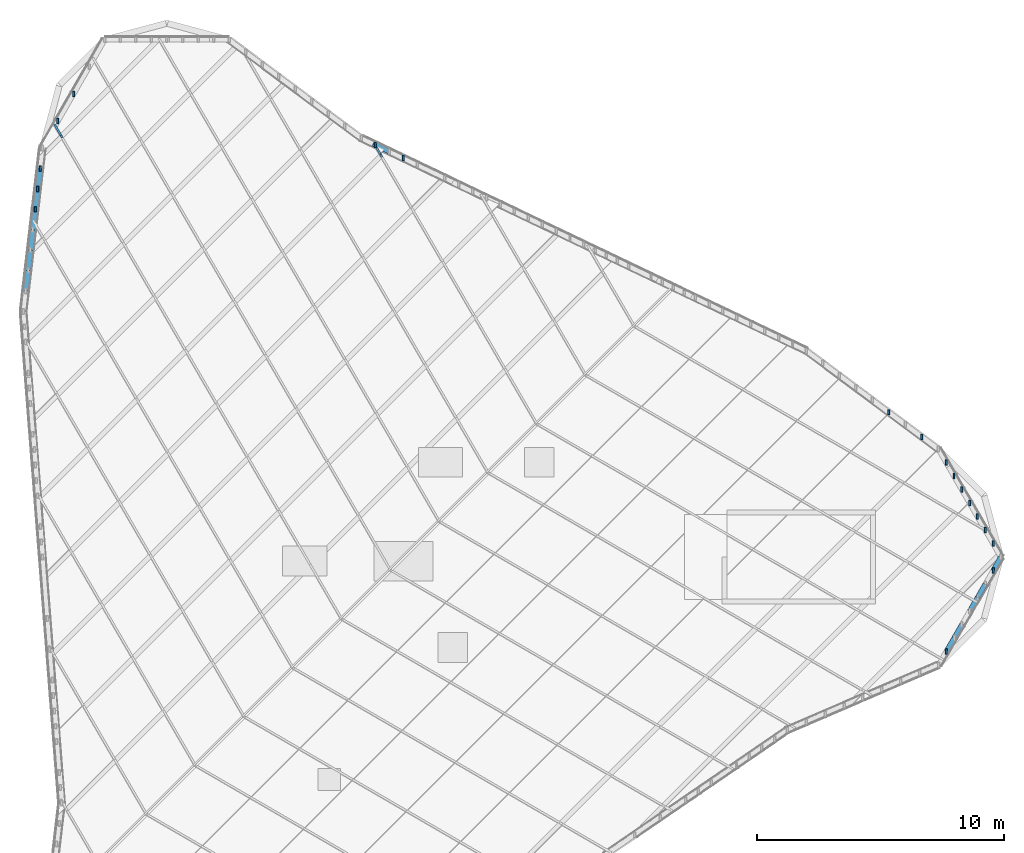
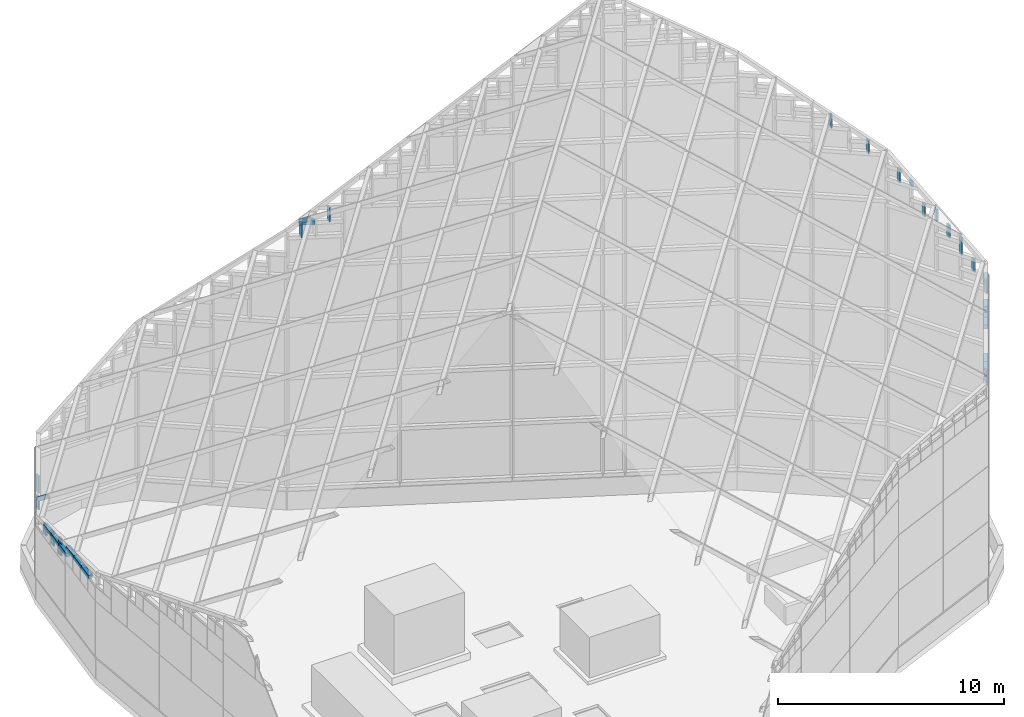
# One storey, part 12 of 29: 33 members, 1 element without a shape of its own.
"""IFC4 building model written with IfcOpenShell, lengths in metres."""

from ifc_helpers import new_model, si_unit, direction, frame, origin, origin_2d, place, context, subcontext, project, spatial, rectangle, extrude, material, material_profile, profile_set, type_object, element, aggregate, save


model = new_model("IFC4")

# Units and contexts
model_context = context("Model", 3, precision=1e-05, world=origin(), true_north=direction((0.0, 1.0)))
body_context = subcontext(model_context, "Body", "Model", "MODEL_VIEW")
ifc_project = project(units=[si_unit("LENGTHUNIT", "METRE"), si_unit("AREAUNIT", "SQUARE_METRE"), si_unit("VOLUMEUNIT", "CUBIC_METRE"), si_unit("PLANEANGLEUNIT", "RADIAN"), si_unit("MASSUNIT", "GRAM", prefix="KILO")], contexts=[model_context])

# Site, building, storey
site_placement = place(None, origin())
site = spatial("IfcSite", under=ifc_project, at=site_placement, CompositionType="ELEMENT")
building_placement = place(site_placement, origin())
building = spatial("IfcBuilding", under=site, at=building_placement, Name="Tanit Gate Tower", CompositionType="ELEMENT")
storey_placement = place(building_placement, frame((0.0, 0.0, 445.300048828125)))
storey = spatial("IfcBuildingStorey", under=building, at=storey_placement, Name="ROOF", CompositionType="ELEMENT", Elevation=445.300048828125)

# Curtain wall, members
ifc_material_1 = material(Name="Aluminium bronze anodised and glass", Category="aluminium")
curtain_wall_type = type_object("IfcCurtainWallType", Name="Curtain wall crown roof", PredefinedType="NOTDEFINED", material=ifc_material_1)
curtain_wall_placement = place(storey_placement, origin())
curtain_wall = element("IfcCurtainWall", 1, at=curtain_wall_placement, inside=storey, type_object=curtain_wall_type, Name="Crown lantern", PredefinedType="NOTDEFINED")
ifc_material_2 = material(Name="Aluminium bronze anodised", Category="aluminium")
ifc_material_profile_1 = material_profile(ifc_material_2, rectangle(XDim=0.080078125, YDim=0.219970703125, at=origin_2d()), Name="80x220 bronze rafter")
ifc_profile_set_1 = profile_set([ifc_material_profile_1], Name="Aluminium bronze anodised")
member_type_1 = type_object("IfcMemberType", Name="Mullion 80x220 crown roof", PredefinedType="MULLION", material=ifc_profile_set_1)
member_1_placement = place(storey_placement, frame((20.986328125, 4.872314453125, 18.697998046875), z_axis=(0.0, 0.0, 1.0), x_axis=(1.0, 0.0, 0.0)))
member_1 = element("IfcMember", 2, at=member_1_placement, type_object=member_type_1, Name="Lantern clerestory bar 1.6.4", PredefinedType="MULLION", context=body_context, shape_type="SweptSolid", body=[
    extrude(rectangle(XDim=0.080078125, YDim=0.219970703125, at=origin_2d()), origin(), (0.0, 0.0, 1.0), 0.708984375),
])
member_2_placement = place(storey_placement, frame((19.65087890625, 5.866943359375, 19.947021484375), z_axis=(0.0, 0.0, 1.0), x_axis=(1.0, 0.0, 0.0)))
member_2 = element("IfcMember", 3, at=member_2_placement, type_object=member_type_1, Name="Lantern clerestory bar 1.6.7", PredefinedType="MULLION", context=body_context, shape_type="SweptSolid", body=[
    extrude(rectangle(XDim=0.080078125, YDim=0.219970703125, at=origin_2d()), origin(), (0.0, 0.0, 1.0), 0.65283203125),
])
member_3_placement = place(storey_placement, frame((-0.01416015625, 16.1533203125, 15.521728515625), z_axis=(0.0, 0.0, 1.0), x_axis=(1.0, 0.0, 0.0)))
member_3 = element("IfcMember", 4, at=member_3_placement, type_object=member_type_1, Name="Lantern clerestory bar 7.5.6", PredefinedType="MULLION", context=body_context, shape_type="SweptSolid", body=[
    extrude(rectangle(XDim=0.080078125, YDim=0.219970703125, at=origin_2d()), origin(), (0.0, 0.0, 1.0), 0.773681640625),
])
member_4_placement = place(storey_placement, frame((-1.14013671875, 16.691162109375, 14.747802734375), z_axis=(0.0, 0.0, 1.0), x_axis=(1.0, 0.0, 0.0)))
member_4 = element("IfcMember", 5, at=member_4_placement, type_object=member_type_1, Name="Lantern clerestory bar 7.5.8", PredefinedType="MULLION", context=body_context, shape_type="SweptSolid", body=[
    extrude(rectangle(XDim=0.080078125, YDim=0.219970703125, at=origin_2d()), origin(), (0.0, 0.0, 1.0), 0.77392578125),
])
member_5_placement = place(storey_placement, frame((-13.3544921875, 18.755859375, 3.962158203125), z_axis=(0.0, 0.0, 1.0), x_axis=(1.0, 0.0, 0.0)))
member_5 = element("IfcMember", 6, at=member_5_placement, type_object=member_type_1, Name="Lantern clerestory bar 11.2.1", PredefinedType="MULLION", context=body_context, shape_type="SweptSolid", body=[
    extrude(rectangle(XDim=0.080078125, YDim=0.219970703125, at=origin_2d()), origin(), (0.0, 0.0, 1.0), 0.9423828125),
])
member_6_placement = place(storey_placement, frame((-13.985107421875, 17.66064453125, 3.962158203125), z_axis=(0.0, 0.0, 1.0), x_axis=(1.0, 0.0, 0.0)))
member_6 = element("IfcMember", 7, at=member_6_placement, type_object=member_type_1, Name="Lantern clerestory bar 11.2.5", PredefinedType="MULLION", context=body_context, shape_type="SweptSolid", body=[
    extrude(rectangle(XDim=0.080078125, YDim=0.219970703125, at=origin_2d()), origin(), (0.0, 0.0, 1.0), 0.72119140625),
])
member_7_placement = place(storey_placement, frame((-14.8095703125, 14.91162109375, 3.962158203125), z_axis=(0.0, 0.0, 1.0), x_axis=(1.0, 0.0, 0.0)))
member_7 = element("IfcMember", 8, at=member_7_placement, type_object=member_type_1, Name="Lantern clerestory bar 12.2.1", PredefinedType="MULLION", context=body_context, shape_type="SweptSolid", body=[
    extrude(rectangle(XDim=0.080078125, YDim=0.219970703125, at=origin_2d()), origin(), (0.0, 0.0, 1.0), 0.794921875),
])
member_8_placement = place(storey_placement, frame((-14.712646484375, 15.738525390625, 3.962158203125), z_axis=(0.0, 0.0, 1.0), x_axis=(1.0, 0.0, 0.0)))
member_8 = element("IfcMember", 9, at=member_8_placement, type_object=member_type_1, Name="Lantern clerestory bar 12.2.2", PredefinedType="MULLION", context=body_context, shape_type="SweptSolid", body=[
    extrude(rectangle(XDim=0.080078125, YDim=0.219970703125, at=origin_2d()), origin(), (0.0, 0.0, 1.0), 0.6474609375),
])
member_9_placement = place(storey_placement, frame((-14.90625, 14.084716796875, 3.962158203125), z_axis=(0.0, 0.0, 1.0), x_axis=(1.0, 0.0, 0.0)))
member_9 = element("IfcMember", 10, at=member_9_placement, type_object=member_type_1, Name="Lantern clerestory bar 12.2.4", PredefinedType="MULLION", context=body_context, shape_type="SweptSolid", body=[
    extrude(rectangle(XDim=0.080078125, YDim=0.219970703125, at=origin_2d()), origin(), (0.0, 0.0, 1.0), 0.9423828125),
])
member_10_placement = place(storey_placement, frame((21.979248046875, -3.8193359375, 11.27099609375), z_axis=(0.0, 0.0, 1.0), x_axis=(1.0, 0.0, 0.0)))
member_10 = element("IfcMember", 11, at=member_10_placement, type_object=member_type_1, Name="Lantern clerestory bar 31.4.5", PredefinedType="MULLION", context=body_context, shape_type="SweptSolid", body=[
    extrude(rectangle(XDim=0.080078125, YDim=0.219970703125, at=origin_2d()), origin(), (0.0, 0.0, 1.0), 0.65380859375),
])
member_11_placement = place(storey_placement, frame((23.87158203125, -0.545654296875, 13.4130859375), z_axis=(0.0, 0.0, 1.0), x_axis=(1.0, 0.0, 0.0)))
member_11 = element("IfcMember", 12, at=member_11_placement, type_object=member_type_1, Name="Lantern clerestory bar 31.4.17", PredefinedType="MULLION", context=body_context, shape_type="SweptSolid", body=[
    extrude(rectangle(XDim=0.080078125, YDim=0.219970703125, at=origin_2d()), origin(), (0.0, 0.0, 1.0), 0.70556640625),
])
member_12_placement = place(storey_placement, frame((23.8701171875, 0.546875, 13.9013671875), z_axis=(0.0, 0.0, 1.0), x_axis=(1.0, 0.0, 0.0)))
member_12 = element("IfcMember", 13, at=member_12_placement, type_object=member_type_1, Name="Lantern clerestory bar 32.5.6", PredefinedType="MULLION", context=body_context, shape_type="SweptSolid", body=[
    extrude(rectangle(XDim=0.080078125, YDim=0.219970703125, at=origin_2d()), origin(), (0.0, 0.0, 1.0), 0.701171875),
])
member_13_placement = place(storey_placement, frame((23.5537109375, 1.09375, 14.6025390625), z_axis=(0.0, 0.0, 1.0), x_axis=(1.0, 0.0, 0.0)))
member_13 = element("IfcMember", 14, at=member_13_placement, type_object=member_type_1, Name="Lantern clerestory bar 32.5.7", PredefinedType="MULLION", context=body_context, shape_type="SweptSolid", body=[
    extrude(rectangle(XDim=0.080078125, YDim=0.219970703125, at=origin_2d()), origin(), (0.0, 0.0, 1.0), 0.963134765625),
])
member_14_placement = place(storey_placement, frame((23.237060546875, 1.640625, 15.303955078125), z_axis=(0.0, 0.0, 1.0), x_axis=(1.0, 0.0, 0.0)))
member_14 = element("IfcMember", 15, at=member_14_placement, type_object=member_type_1, Name="Lantern clerestory bar 32.5.9", PredefinedType="MULLION", context=body_context, shape_type="SweptSolid", body=[
    extrude(rectangle(XDim=0.080078125, YDim=0.219970703125, at=origin_2d()), origin(), (0.0, 0.0, 1.0), 0.701416015625),
])
member_15_placement = place(storey_placement, frame((22.92041015625, 2.1875, 16.00537109375), z_axis=(0.0, 0.0, 1.0), x_axis=(1.0, 0.0, 0.0)))
member_15 = element("IfcMember", 16, at=member_15_placement, type_object=member_type_1, Name="Lantern clerestory bar 32.5.10", PredefinedType="MULLION", context=body_context, shape_type="SweptSolid", body=[
    extrude(rectangle(XDim=0.080078125, YDim=0.219970703125, at=origin_2d()), origin(), (0.0, 0.0, 1.0), 0.64208984375),
])
member_16_placement = place(storey_placement, frame((22.603759765625, 2.734375, 16.00537109375), z_axis=(0.0, 0.0, 1.0), x_axis=(1.0, 0.0, 0.0)))
member_16 = element("IfcMember", 17, at=member_16_placement, type_object=member_type_1, Name="Lantern clerestory bar 32.5.14", PredefinedType="MULLION", context=body_context, shape_type="SweptSolid", body=[
    extrude(rectangle(XDim=0.080078125, YDim=0.219970703125, at=origin_2d()), origin(), (0.0, 0.0, 1.0), 0.701171875),
])
member_17_placement = place(storey_placement, frame((22.287109375, 3.28125, 17.407958984375), z_axis=(0.0, 0.0, 1.0), x_axis=(1.0, 0.0, 0.0)))
member_17 = element("IfcMember", 18, at=member_17_placement, type_object=member_type_1, Name="Lantern clerestory bar 32.5.15", PredefinedType="MULLION", context=body_context, shape_type="SweptSolid", body=[
    extrude(rectangle(XDim=0.080078125, YDim=0.219970703125, at=origin_2d()), origin(), (0.0, 0.0, 1.0), 0.321044921875),
])
member_18_placement = place(storey_placement, frame((21.970458984375, 3.828125, 17.407958984375), z_axis=(0.0, 0.0, 1.0), x_axis=(1.0, 0.0, 0.0)))
member_18 = element("IfcMember", 19, at=member_18_placement, type_object=member_type_1, Name="Lantern clerestory bar 32.5.17", PredefinedType="MULLION", context=body_context, shape_type="SweptSolid", body=[
    extrude(rectangle(XDim=0.080078125, YDim=0.219970703125, at=origin_2d()), origin(), (0.0, 0.0, 1.0), 0.701171875),
])
member_19_placement = place(storey_placement, frame((-13.8427734375, 17.03466796875, 4.973876953125), z_axis=(-0.420095454786, 0.723588012548, -0.547667962332), x_axis=(-0.864816152878, -0.502088659223, 0.0)))
member_19 = element("IfcMember", 20, at=member_19_placement, type_object=member_type_1, Name="Lantern rafter E7", PredefinedType="MULLION", context=body_context, shape_type="SweptSolid", body=[
    extrude(rectangle(XDim=0.080078125, YDim=0.219970703125, at=origin_2d()), origin(), (0.0, 0.0, 1.0), 0.600830078125),
])
member_20_placement = place(storey_placement, frame((-0.900390625, 16.253662109375, 15.923095703125), z_axis=(-0.420071943336, 0.723567006818, -0.547713747378), x_axis=(-0.864822025669, -0.502078543575, 0.0)))
member_20 = element("IfcMember", 21, at=member_20_placement, type_object=member_type_1, Name="Lantern rafter E11", PredefinedType="MULLION", context=body_context, shape_type="SweptSolid", body=[
    extrude(rectangle(XDim=0.080078125, YDim=0.219970703125, at=origin_2d()), origin(), (0.0, 0.0, 1.0), 0.617919921875),
])
ifc_material_3 = material(Name="Aluminium bronze anodised", Category="aluminium")
ifc_material_profile_2 = material_profile(ifc_material_3, rectangle(XDim=0.199951171875, YDim=0.199951171875, at=origin_2d()), Name="200x200 bronze transom")
ifc_profile_set_2 = profile_set([ifc_material_profile_2], Name="Aluminium bronze anodised")
member_type_2 = type_object("IfcMemberType", Name="Transom 200x200 crown roof", PredefinedType="USERDEFINED", material=ifc_profile_set_2)
member_21_placement = place(storey_placement, frame((-0.5771484375, 16.42236328125, 15.521728515625), z_axis=(-0.902300879246, 0.431106858345, 0.0), x_axis=(-0.431106858345, -0.902300879246, 0.0)))
member_21 = element("IfcMember", 22, at=member_21_placement, type_object=member_type_2, Name="Lantern clerestory bar 7.5.7", ObjectType="TRANSOM", PredefinedType="USERDEFINED", context=body_context, shape_type="SweptSolid", body=[
    extrude(rectangle(XDim=0.199951171875, YDim=0.199951171875, at=origin_2d()), origin(), (0.0, 0.0, 1.0), 0.71875),
])
member_22_placement = place(storey_placement, frame((-14.712646484375, 15.738525390625, 4.507080078125), z_axis=(-0.116415890153, -0.993200554027, 0.0), x_axis=(0.993200554027, -0.116415890153, 0.0)))
member_22 = element("IfcMember", 23, at=member_22_placement, type_object=member_type_2, Name="Lantern clerestory bar 12.2.3", ObjectType="TRANSOM", PredefinedType="USERDEFINED", context=body_context, shape_type="SweptSolid", body=[
    extrude(rectangle(XDim=0.199951171875, YDim=0.199951171875, at=origin_2d()), origin(), (0.0, 0.0, 1.0), 0.83251953125),
])
member_23_placement = place(storey_placement, frame((-14.8095703125, 14.91162109375, 4.507080078125), z_axis=(-0.116126610503, -0.993234418621, 0.0), x_axis=(0.993234418621, -0.116126610503, 0.0)))
member_23 = element("IfcMember", 24, at=member_23_placement, type_object=member_type_2, Name="Lantern clerestory bar 12.2.5", ObjectType="TRANSOM", PredefinedType="USERDEFINED", context=body_context, shape_type="SweptSolid", body=[
    extrude(rectangle(XDim=0.199951171875, YDim=0.199951171875, at=origin_2d()), origin(), (0.0, 0.0, 1.0), 0.83251953125),
])
member_24_placement = place(storey_placement, frame((-14.90625, 14.084716796875, 4.507080078125), z_axis=(-0.116415890153, -0.993200554027, 0.0), x_axis=(0.993200554027, -0.116415890153, 0.0)))
member_24 = element("IfcMember", 25, at=member_24_placement, type_object=member_type_2, Name="Lantern clerestory bar 12.2.6", ObjectType="TRANSOM", PredefinedType="USERDEFINED", context=body_context, shape_type="SweptSolid", body=[
    extrude(rectangle(XDim=0.199951171875, YDim=0.199951171875, at=origin_2d()), origin(), (0.0, 0.0, 1.0), 0.83251953125),
])
member_25_placement = place(storey_placement, frame((-15.003173828125, 13.2578125, 4.921142578125), z_axis=(-0.116449805527, -0.993196578122, 0.0), x_axis=(0.993196578122, -0.116449805527, 0.0)))
member_25 = element("IfcMember", 26, at=member_25_placement, type_object=member_type_2, Name="Lantern clerestory bar 13.2.3", ObjectType="TRANSOM", PredefinedType="USERDEFINED", context=body_context, shape_type="SweptSolid", body=[
    extrude(rectangle(XDim=0.199951171875, YDim=0.199951171875, at=origin_2d()), origin(), (0.0, 0.0, 1.0), 0.832275390625),
])
member_26_placement = place(storey_placement, frame((-15.10009765625, 12.43115234375, 4.921142578125), z_axis=(-0.116126610503, -0.993234418621, 0.0), x_axis=(0.993234418621, -0.116126610503, 0.0)))
member_26 = element("IfcMember", 27, at=member_26_placement, type_object=member_type_2, Name="Lantern clerestory bar 13.2.4", ObjectType="TRANSOM", PredefinedType="USERDEFINED", context=body_context, shape_type="SweptSolid", body=[
    extrude(rectangle(XDim=0.199951171875, YDim=0.199951171875, at=origin_2d()), origin(), (0.0, 0.0, 1.0), 0.83251953125),
])
member_27_placement = place(storey_placement, frame((-15.19677734375, 11.604248046875, 4.921142578125), z_axis=(-0.116415890153, -0.993200554027, 0.0), x_axis=(0.993200554027, -0.116415890153, 0.0)))
member_27 = element("IfcMember", 28, at=member_27_placement, type_object=member_type_2, Name="Lantern clerestory bar 13.2.6", ObjectType="TRANSOM", PredefinedType="USERDEFINED", context=body_context, shape_type="SweptSolid", body=[
    extrude(rectangle(XDim=0.199951171875, YDim=0.199951171875, at=origin_2d()), origin(), (0.0, 0.0, 1.0), 0.83251953125),
])
member_28_placement = place(storey_placement, frame((21.979248046875, -3.8193359375, 11.806640625), z_axis=(0.500471194464, 0.865753188566, 0.0), x_axis=(-0.865753188566, 0.500471194464, 0.0)))
member_28 = element("IfcMember", 29, at=member_28_placement, type_object=member_type_2, Name="Lantern clerestory bar 31.4.6", ObjectType="TRANSOM", PredefinedType="USERDEFINED", context=body_context, shape_type="SweptSolid", body=[
    extrude(rectangle(XDim=0.199951171875, YDim=0.199951171875, at=origin_2d()), origin(), (0.0, 0.0, 1.0), 0.63037109375),
])
member_29_placement = place(storey_placement, frame((22.294677734375, -3.273681640625, 11.806640625), z_axis=(0.500471194464, 0.865753188566, 0.0), x_axis=(-0.865753188566, 0.500471194464, 0.0)))
member_29 = element("IfcMember", 30, at=member_29_placement, type_object=member_type_2, Name="Lantern clerestory bar 31.4.9", ObjectType="TRANSOM", PredefinedType="USERDEFINED", context=body_context, shape_type="SweptSolid", body=[
    extrude(rectangle(XDim=0.199951171875, YDim=0.199951171875, at=origin_2d()), origin(), (0.0, 0.0, 1.0), 0.63037109375),
])
member_30_placement = place(storey_placement, frame((23.262939453125, -1.598388671875, 13.4130859375), z_axis=(0.500576163823, 0.865692499801, 0.0), x_axis=(-0.865692499801, 0.500576163823, 0.0)))
member_30 = element("IfcMember", 31, at=member_30_placement, type_object=member_type_2, Name="Lantern clerestory bar 31.4.12", ObjectType="TRANSOM", PredefinedType="USERDEFINED", context=body_context, shape_type="SweptSolid", body=[
    extrude(rectangle(XDim=0.199951171875, YDim=0.199951171875, at=origin_2d()), origin(), (0.0, 0.0, 1.0), 0.585693359375),
])
member_31_placement = place(storey_placement, frame((22.925537109375, -2.182373046875, 12.877685546875), z_axis=(0.500180771434, 0.86592101019, 0.0), x_axis=(-0.86592101019, 0.500180771434, 0.0)))
member_31 = element("IfcMember", 32, at=member_31_placement, type_object=member_type_2, Name="Lantern clerestory bar 31.4.14", ObjectType="TRANSOM", PredefinedType="USERDEFINED", context=body_context, shape_type="SweptSolid", body=[
    extrude(rectangle(XDim=0.199951171875, YDim=0.199951171875, at=origin_2d()), origin(), (0.0, 0.0, 1.0), 0.630126953125),
])
member_32_placement = place(storey_placement, frame((23.24072265625, -1.63671875, 12.877685546875), z_axis=(0.500639079147, 0.865656116729, 0.0), x_axis=(-0.865656116729, 0.500639079147, 0.0)))
member_32 = element("IfcMember", 33, at=member_32_placement, type_object=member_type_2, Name="Lantern clerestory bar 31.4.15", ObjectType="TRANSOM", PredefinedType="USERDEFINED", context=body_context, shape_type="SweptSolid", body=[
    extrude(rectangle(XDim=0.199951171875, YDim=0.199951171875, at=origin_2d()), origin(), (0.0, 0.0, 1.0), 0.630126953125),
])
member_33_placement = place(storey_placement, frame((23.87158203125, -0.545654296875, 13.94873046875), z_axis=(0.500180771434, 0.86592101019, 0.0), x_axis=(-0.86592101019, 0.500180771434, 0.0)))
member_33 = element("IfcMember", 34, at=member_33_placement, type_object=member_type_2, Name="Lantern clerestory bar 31.4.18", ObjectType="TRANSOM", PredefinedType="USERDEFINED", context=body_context, shape_type="SweptSolid", body=[
    extrude(rectangle(XDim=0.199951171875, YDim=0.199951171875, at=origin_2d()), origin(), (0.0, 0.0, 1.0), 0.630126953125),
])
aggregate(curtain_wall, [member_1, member_2, member_3, member_21, member_4, member_5, member_6, member_7, member_8, member_22, member_9, member_23, member_24, member_25, member_26, member_27, member_10, member_28, member_29, member_30, member_31, member_32, member_11, member_33, member_12, member_13, member_14, member_15, member_16, member_17, member_18, member_19, member_20])

save(model, "model.ifc")
